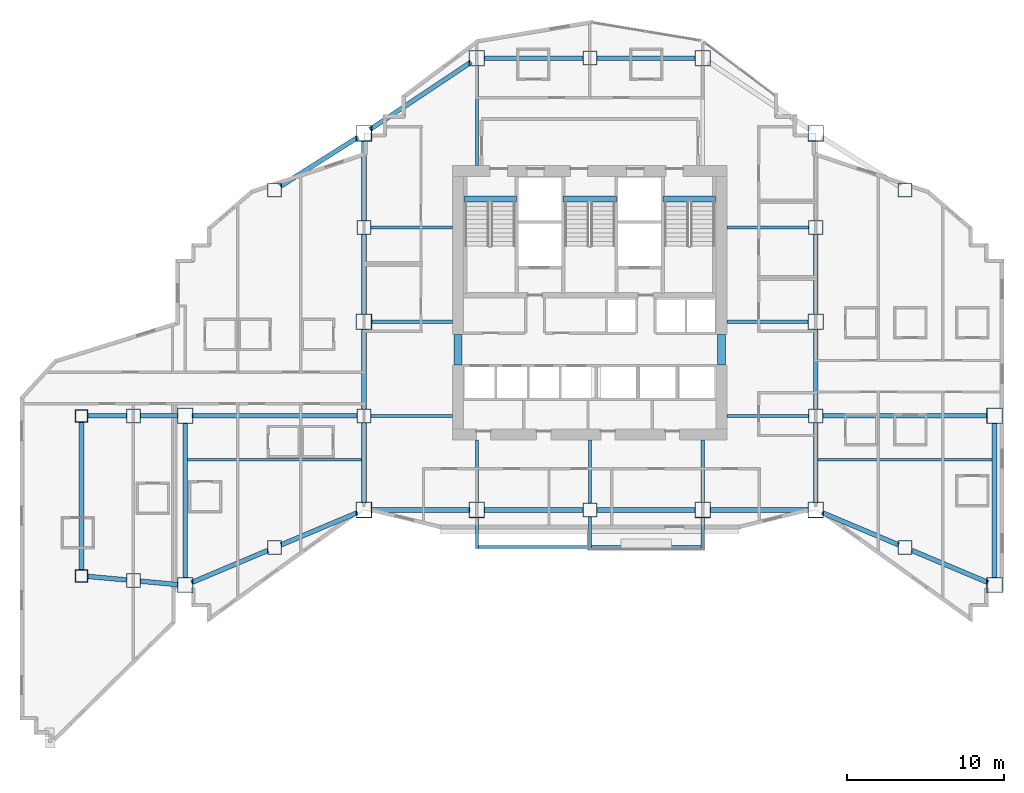
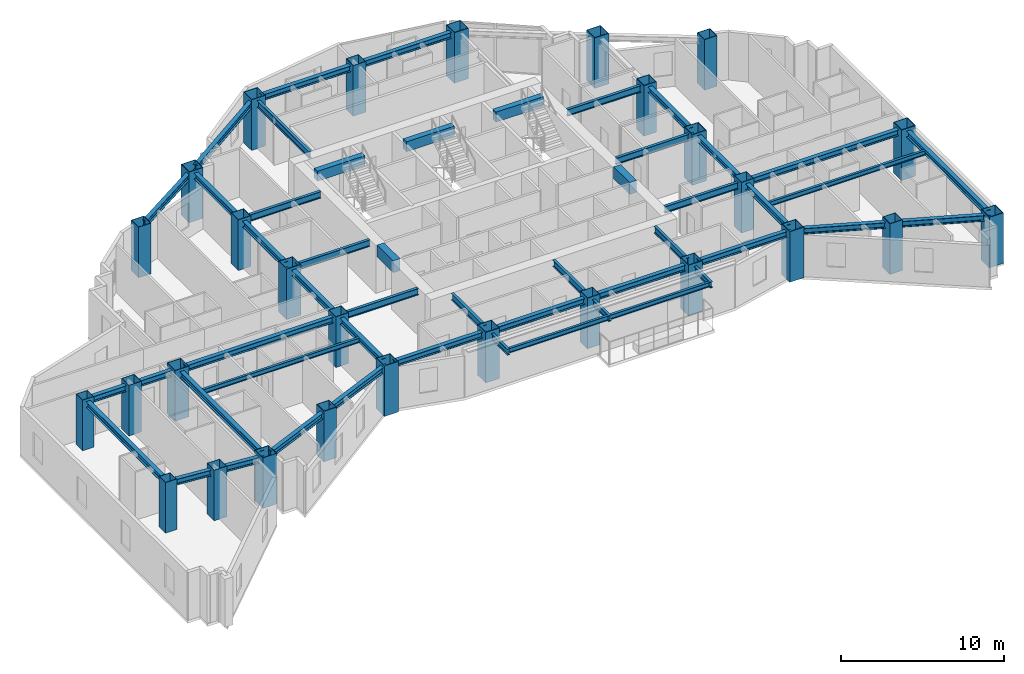
# One storey, part 1 of 13: 50 beams, 28 columns.
"""IFC4 building model written with IfcOpenShell, lengths in metres."""

from ifc_helpers import new_model, si_unit, direction, frame, origin, origin_2d, place, context, subcontext, project, spatial, rectangle, hollow_rectangle, i_section, extrude, material, material_profile, profile_set, type_object, element, save


model = new_model("IFC4")

# Units and contexts
model_context = context("Model", 3, precision=1e-05, world=origin(), true_north=direction((0.0, 1.0)))
body_context = subcontext(model_context, "Body", "Model", "MODEL_VIEW")
ifc_project = project(units=[si_unit("LENGTHUNIT", "METRE"), si_unit("AREAUNIT", "SQUARE_METRE"), si_unit("VOLUMEUNIT", "CUBIC_METRE"), si_unit("PLANEANGLEUNIT", "RADIAN"), si_unit("MASSUNIT", "GRAM", prefix="KILO")], contexts=[model_context])

# Site, building, storey
site_placement = place(None, origin())
site = spatial("IfcSite", under=ifc_project, at=site_placement, CompositionType="ELEMENT")
building_placement = place(site_placement, origin())
building = spatial("IfcBuilding", under=site, at=building_placement, Name="Haolan Belvedere Tower", CompositionType="ELEMENT")
storey_placement = place(building_placement, frame((0.0, 0.0, 117.39990234375)))
storey = spatial("IfcBuildingStorey", under=building, at=storey_placement, Name="L29", CompositionType="ELEMENT", Elevation=117.39990234375)

# Columns
ifc_material_1 = material(Name="Steel Q420GJC", Category="steel")
ifc_material_profile_1 = material_profile(ifc_material_1, hollow_rectangle(XDim=1.0, YDim=1.0, WallThickness=0.0380859375, at=origin_2d()), Name="Steel Q420GJC")
ifc_profile_set_1 = profile_set([ifc_material_profile_1], Name="Steel Q420GJC")
column_type_1 = type_object("IfcColumnType", Name="COL-BOX1000x1000x38", PredefinedType="COLUMN", material=ifc_profile_set_1)
for number, where, z_axis, x_axis, name in (
    (1, (24.0, 21.60009765625, 0.0), (0.0, 0.0, 1.0), (1.0, 0.0, 0.0), "L29 column MC-T3-SW (BOX1000x1000x38)"),
    (2, (24.0, 33.60009765625, 0.0), (0.0, 0.0, 1.0), (1.0, 0.0, 0.0), "L29 column MC-T3-MW (BOX1000x1000x38)"),
    (3, (24.0, 45.60009765625, 0.0), (0.0, 0.0, 1.0), (1.0, 0.0, 0.0), "L29 column MC-T3-NW (BOX1000x1000x38)"),
    (4, (52.800048828125, 21.60009765625, 0.0), (0.0, 0.0, 1.0), (1.0, 0.0, 0.0), "L29 column MC-T3-SE (BOX1000x1000x38)"),
    (5, (52.800048828125, 33.60009765625, 0.0), (0.0, 0.0, 1.0), (1.0, 0.0, 0.0), "L29 column MC-T3-ME (BOX1000x1000x38)"),
    (6, (52.800048828125, 45.60009765625, 0.0), (0.0, 0.0, 1.0), (1.0, 0.0, 0.0), "L29 column MC-T3-NE (BOX1000x1000x38)"),
    (7, (31.199951171875, 21.60009765625, 0.0), (0.0, 0.0, 1.0), (1.0, 0.0, 0.0), "L29 column MC-T3-S1 (BOX1000x1000x38)"),
    (8, (45.60009765625, 21.60009765625, 0.0), (0.0, 0.0, 1.0), (1.0, 0.0, 0.0), "L29 column MC-T3-S2 (BOX1000x1000x38)"),
    (9, (31.199951171875, 50.39990234375, 0.0), (0.0, 0.0, 1.0), (1.0, 0.0, 0.0), "L29 column MC-T3-N1 (BOX1000x1000x38)"),
    (10, (45.60009765625, 50.39990234375, 0.0), (0.0, 0.0, 1.0), (1.0, 0.0, 0.0), "L29 column MC-T3-N2 (BOX1000x1000x38)"),
    (11, (12.60009765625, 16.800048828125, 0.0), (0.0, 0.0, 1.0), (1.0, 0.0, 0.0), "L29 column MC-T2-SW (BOX1000x1000x38)"),
    (12, (12.60009765625, 27.60009765625, 0.0), (0.0, 0.0, 1.0), (1.0, 0.0, 0.0), "L29 column MC-T2-MW (BOX1000x1000x38)"),
    (13, (64.199951171875, 16.800048828125, 0.0), (0.0, 0.0, 1.0), (1.0, 0.0, 0.0), "L29 column MC-T4-SE (BOX1000x1000x38)"),
    (14, (64.199951171875, 27.60009765625, 0.0), (0.0, 0.0, 1.0), (1.0, 0.0, 0.0), "L29 column MC-T4-ME (BOX1000x1000x38)"),
):
    element("IfcColumn", number, at=place(storey_placement, frame(where, z_axis=z_axis, x_axis=x_axis)), inside=storey, type_object=column_type_1, Name=name, PredefinedType="COLUMN", context=body_context, shape_type="SweptSolid", body=[
        extrude(hollow_rectangle(XDim=1.0, YDim=1.0, WallThickness=0.0380859375, at=origin_2d()), origin(), (0.0, 0.0, 1.0), 3.800048828125),
    ])
ifc_material_2 = material(Name="Steel Q390GJC", Category="steel")
ifc_material_profile_2 = material_profile(ifc_material_2, hollow_rectangle(XDim=0.800048828125, YDim=0.800048828125, WallThickness=0.030029296875, at=origin_2d()), Name="Steel Q390GJC")
ifc_profile_set_2 = profile_set([ifc_material_profile_2], Name="Steel Q390GJC")
column_type_2 = type_object("IfcColumnType", Name="COL-BOX800x800x30", PredefinedType="COLUMN", material=ifc_profile_set_2)
for number, where, z_axis, x_axis, name in (
    (15, (6.0, 17.39990234375, 0.0), (0.0, 0.0, 1.0), (1.0, 0.0, 0.0), "L29 column MC-T1-SW (BOX800x800x30)"),
    (16, (6.0, 27.60009765625, 0.0), (0.0, 0.0, 1.0), (1.0, 0.0, 0.0), "L29 column MC-T1-NW (BOX800x800x30)"),
):
    element("IfcColumn", number, at=place(storey_placement, frame(where, z_axis=z_axis, x_axis=x_axis)), inside=storey, type_object=column_type_2, Name=name, PredefinedType="COLUMN", context=body_context, shape_type="SweptSolid", body=[
        extrude(hollow_rectangle(XDim=0.800048828125, YDim=0.800048828125, WallThickness=0.030029296875, at=origin_2d()), origin(), (0.0, 0.0, 1.0), 3.800048828125),
    ])
ifc_material_profile_3 = material_profile(ifc_material_2, hollow_rectangle(XDim=0.89990234375, YDim=0.89990234375, WallThickness=0.033935546875, at=origin_2d()), Name="Steel Q390GJC")
ifc_profile_set_3 = profile_set([ifc_material_profile_3], Name="Steel Q390GJC")
column_type_3 = type_object("IfcColumnType", Name="COL-BOX900x900x34", PredefinedType="COLUMN", material=ifc_profile_set_3)
for number, where, z_axis, x_axis, name in (
    (17, (24.0, 27.60009765625, 0.0), (0.0, 0.0, 1.0), (1.0, 0.0, 0.0), "L29 column TC-T3-W1 (BOX900x900x34)"),
    (18, (24.0, 39.60009765625, 0.0), (0.0, 0.0, 1.0), (1.0, 0.0, 0.0), "L29 column TC-T3-W2 (BOX900x900x34)"),
    (19, (52.800048828125, 27.60009765625, 0.0), (0.0, 0.0, 1.0), (1.0, 0.0, 0.0), "L29 column TC-T3-E1 (BOX900x900x34)"),
    (20, (52.800048828125, 39.60009765625, 0.0), (0.0, 0.0, 1.0), (1.0, 0.0, 0.0), "L29 column TC-T3-E2 (BOX900x900x34)"),
    (21, (38.39990234375, 21.60009765625, 0.0), (0.0, 0.0, 1.0), (1.0, 0.0, 0.0), "L29 column TC-T3-SM (BOX900x900x34)"),
    (22, (38.39990234375, 50.39990234375, 0.0), (0.0, 0.0, 1.0), (1.0, 0.0, 0.0), "L29 column TC-T3-NM (BOX900x900x34)"),
    (23, (18.300048828125, 19.199951171875, 0.0), (0.0, 0.0, 1.0), (1.0, 0.0, 0.0), "L29 column TC-T2-S1 (BOX900x900x34)"),
    (24, (18.300048828125, 42.0, 0.0), (0.0, 0.0, 1.0), (1.0, 0.0, 0.0), "L29 column TC-T2-N1 (BOX900x900x34)"),
    (25, (58.5, 19.199951171875, 0.0), (0.0, 0.0, 1.0), (1.0, 0.0, 0.0), "L29 column TC-T4-S1 (BOX900x900x34)"),
    (26, (58.5, 42.0, 0.0), (0.0, 0.0, 1.0), (1.0, 0.0, 0.0), "L29 column TC-T4-N1 (BOX900x900x34)"),
    (27, (9.300048828125, 17.10009765625, 0.0), (0.0, 0.0, 1.0), (1.0, 0.0, 0.0), "L29 column TC-T1-M1 (BOX900x900x34)"),
    (28, (9.300048828125, 27.60009765625, 0.0), (0.0, 0.0, 1.0), (1.0, 0.0, 0.0), "L29 column TC-T1-M2 (BOX900x900x34)"),
):
    element("IfcColumn", number, at=place(storey_placement, frame(where, z_axis=z_axis, x_axis=x_axis)), inside=storey, type_object=column_type_3, Name=name, PredefinedType="COLUMN", context=body_context, shape_type="SweptSolid", body=[
        extrude(hollow_rectangle(XDim=0.89990234375, YDim=0.89990234375, WallThickness=0.033935546875, at=origin_2d()), origin(), (0.0, 0.0, 1.0), 3.800048828125),
    ])

# Beams
ifc_material_3 = material(Name="Steel Q355B", Category="steel")
ifc_material_profile_4 = material_profile(ifc_material_3, i_section(OverallWidth=0.300048828125, OverallDepth=0.43994140625, WebThickness=0.010986328125, FlangeThickness=0.01806640625, FilletRadius=0.02392578125, at=origin_2d()), Name="Steel Q355B")
ifc_profile_set_4 = profile_set([ifc_material_profile_4], Name="Steel Q355B")
beam_type_1 = type_object("IfcBeamType", Name="BM-HM440x300x11x18", PredefinedType="SPANDREL", material=ifc_profile_set_4)
for number, where, z_axis, x_axis, name in (
    (29, (24.0, 22.050048828125, 3.380126953125), (0.0, 1.0, 0.0), (-1.0, 0.0, 0.0), "L29 spandrel girder MC-T3-SW-TC-T3-W1"),
    (30, (24.0, 28.050048828125, 3.380126953125), (0.0, 1.0, 0.0), (-1.0, 0.0, 0.0), "L29 spandrel girder TC-T3-W1-MC-T3-MW"),
    (31, (24.0, 34.050048828125, 3.380126953125), (0.0, 1.0, 0.0), (-1.0, 0.0, 0.0), "L29 spandrel girder MC-T3-MW-TC-T3-W2"),
    (32, (24.0, 40.050048828125, 3.380126953125), (0.0, 1.0, 0.0), (-1.0, 0.0, 0.0), "L29 spandrel girder TC-T3-W2-MC-T3-NW"),
    (33, (52.800048828125, 22.050048828125, 3.380126953125), (0.0, 1.0, 0.0), (-1.0, 0.0, 0.0), "L29 spandrel girder MC-T3-SE-TC-T3-E1"),
    (34, (52.800048828125, 28.050048828125, 3.380126953125), (0.0, 1.0, 0.0), (-1.0, 0.0, 0.0), "L29 spandrel girder TC-T3-E1-MC-T3-ME"),
    (35, (52.800048828125, 34.050048828125, 3.380126953125), (0.0, 1.0, 0.0), (-1.0, 0.0, 0.0), "L29 spandrel girder MC-T3-ME-TC-T3-E2"),
):
    element("IfcBeam", number, at=place(storey_placement, frame(where, z_axis=z_axis, x_axis=x_axis)), inside=storey, type_object=beam_type_1, Name=name, PredefinedType="SPANDREL", context=body_context, shape_type="SweptSolid", body=[
        extrude(i_section(OverallWidth=0.300048828125, OverallDepth=0.43994140625, WebThickness=0.010986328125, FlangeThickness=0.01806640625, FilletRadius=0.02392578125, at=origin_2d()), origin(), (0.0, 0.0, 1.0), 5.099853515625),
    ])
for number, where, z_axis, x_axis, name in (
    (36, (24.449951171875, 21.60009765625, 3.380126953125), (1.0, 0.0, 0.0), (0.0, 1.0, 0.0), "L29 spandrel girder MC-T3-SW-MC-T3-S1"),
    (37, (31.64990234375, 21.60009765625, 3.380126953125), (1.0, 0.0, 0.0), (0.0, 1.0, 0.0), "L29 spandrel girder MC-T3-S1-TC-T3-SM"),
):
    element("IfcBeam", number, at=place(storey_placement, frame(where, z_axis=z_axis, x_axis=x_axis)), inside=storey, type_object=beam_type_1, Name=name, PredefinedType="SPANDREL", context=body_context, shape_type="SweptSolid", body=[
        extrude(i_section(OverallWidth=0.300048828125, OverallDepth=0.43994140625, WebThickness=0.010986328125, FlangeThickness=0.01806640625, FilletRadius=0.02392578125, at=origin_2d()), origin(), (0.0, 0.0, 1.0), 6.300048828125),
    ])
beam_1_placement = place(storey_placement, frame((38.85009765625, 21.60009765625, 3.380126953125), z_axis=(1.0, 0.0, 0.0), x_axis=(0.0, 1.0, 0.0)))
element("IfcBeam", 38, at=beam_1_placement, inside=storey, type_object=beam_type_1, Name="L29 spandrel girder TC-T3-SM-MC-T3-S2", PredefinedType="SPANDREL", context=body_context, shape_type="SweptSolid", body=[
    extrude(i_section(OverallWidth=0.300048828125, OverallDepth=0.43994140625, WebThickness=0.010986328125, FlangeThickness=0.01806640625, FilletRadius=0.02392578125, at=origin_2d()), origin(), (0.0, 0.0, 1.0), 6.2998046875),
])
beam_2_placement = place(storey_placement, frame((46.050048828125, 21.60009765625, 3.380126953125), z_axis=(1.0, 0.0, 0.0), x_axis=(0.0, 1.0, 0.0)))
element("IfcBeam", 39, at=beam_2_placement, inside=storey, type_object=beam_type_1, Name="L29 spandrel girder MC-T3-S2-MC-T3-SE", PredefinedType="SPANDREL", context=body_context, shape_type="SweptSolid", body=[
    extrude(i_section(OverallWidth=0.300048828125, OverallDepth=0.43994140625, WebThickness=0.010986328125, FlangeThickness=0.01806640625, FilletRadius=0.02392578125, at=origin_2d()), origin(), (0.0, 0.0, 1.0), 6.300048828125),
])
beam_3_placement = place(storey_placement, frame((24.37451171875, 45.849609375, 3.380126953125), z_axis=(0.832050294338, 0.554700196225, 0.0), x_axis=(-0.554700196225, 0.832050294338, 0.0)))
element("IfcBeam", 40, at=beam_3_placement, inside=storey, type_object=beam_type_1, Name="L29 spandrel girder MC-T3-NW-MC-T3-N1", PredefinedType="SPANDREL", context=body_context, shape_type="SweptSolid", body=[
    extrude(i_section(OverallWidth=0.300048828125, OverallDepth=0.43994140625, WebThickness=0.010986328125, FlangeThickness=0.01806640625, FilletRadius=0.02392578125, at=origin_2d()), origin(), (0.0, 0.0, 1.0), 7.75341796875),
])
beam_4_placement = place(storey_placement, frame((31.64990234375, 50.39990234375, 3.380126953125), z_axis=(1.0, 0.0, 0.0), x_axis=(0.0, 1.0, 0.0)))
element("IfcBeam", 41, at=beam_4_placement, inside=storey, type_object=beam_type_1, Name="L29 spandrel girder MC-T3-N1-TC-T3-NM", PredefinedType="SPANDREL", context=body_context, shape_type="SweptSolid", body=[
    extrude(i_section(OverallWidth=0.300048828125, OverallDepth=0.43994140625, WebThickness=0.010986328125, FlangeThickness=0.01806640625, FilletRadius=0.02392578125, at=origin_2d()), origin(), (0.0, 0.0, 1.0), 6.300048828125),
])
beam_5_placement = place(storey_placement, frame((38.85009765625, 50.39990234375, 3.380126953125), z_axis=(1.0, 0.0, 0.0), x_axis=(0.0, 1.0, 0.0)))
element("IfcBeam", 42, at=beam_5_placement, inside=storey, type_object=beam_type_1, Name="L29 spandrel girder TC-T3-NM-MC-T3-N2", PredefinedType="SPANDREL", context=body_context, shape_type="SweptSolid", body=[
    extrude(i_section(OverallWidth=0.300048828125, OverallDepth=0.43994140625, WebThickness=0.010986328125, FlangeThickness=0.01806640625, FilletRadius=0.02392578125, at=origin_2d()), origin(), (0.0, 0.0, 1.0), 6.2998046875),
])
beam_6_placement = place(storey_placement, frame((12.60009765625, 17.25, 3.380126953125), z_axis=(0.0, 1.0, 0.0), x_axis=(-1.0, 0.0, 0.0)))
element("IfcBeam", 43, at=beam_6_placement, inside=storey, type_object=beam_type_1, Name="L29 spandrel girder MC-T2-SW-MC-T2-MW", PredefinedType="SPANDREL", context=body_context, shape_type="SweptSolid", body=[
    extrude(i_section(OverallWidth=0.300048828125, OverallDepth=0.43994140625, WebThickness=0.010986328125, FlangeThickness=0.01806640625, FilletRadius=0.02392578125, at=origin_2d()), origin(), (0.0, 0.0, 1.0), 9.89990234375),
])
beam_7_placement = place(storey_placement, frame((13.0146484375, 16.974609375, 3.380126953125), z_axis=(0.921635375138, 0.388057000058, 0.0), x_axis=(-0.388057000058, 0.921635375138, 0.0)))
element("IfcBeam", 44, at=beam_7_placement, inside=storey, type_object=beam_type_1, Name="L29 spandrel girder MC-T2-SW-TC-T2-S1", PredefinedType="SPANDREL", context=body_context, shape_type="SweptSolid", body=[
    extrude(i_section(OverallWidth=0.300048828125, OverallDepth=0.43994140625, WebThickness=0.010986328125, FlangeThickness=0.01806640625, FilletRadius=0.02392578125, at=origin_2d()), origin(), (0.0, 0.0, 1.0), 5.28466796875),
])
beam_8_placement = place(storey_placement, frame((18.71484375, 19.37451171875, 3.380126953125), z_axis=(0.92162841793, 0.388073523014, 0.0), x_axis=(-0.388073523014, 0.92162841793, 0.0)))
element("IfcBeam", 45, at=beam_8_placement, inside=storey, type_object=beam_type_1, Name="L29 spandrel girder TC-T2-S1-MC-T3-SW", PredefinedType="SPANDREL", context=body_context, shape_type="SweptSolid", body=[
    extrude(i_section(OverallWidth=0.300048828125, OverallDepth=0.43994140625, WebThickness=0.010986328125, FlangeThickness=0.01806640625, FilletRadius=0.02392578125, at=origin_2d()), origin(), (0.0, 0.0, 1.0), 5.284423828125),
])
beam_9_placement = place(storey_placement, frame((18.680419921875, 42.240234375, 3.380126953125), z_axis=(0.845497840649, 0.533978839898, 0.0), x_axis=(-0.533978839898, 0.845497840649, 0.0)))
element("IfcBeam", 46, at=beam_9_placement, inside=storey, type_object=beam_type_1, Name="L29 spandrel girder TC-T2-N1-MC-T3-NW", PredefinedType="SPANDREL", context=body_context, shape_type="SweptSolid", body=[
    extrude(i_section(OverallWidth=0.300048828125, OverallDepth=0.43994140625, WebThickness=0.010986328125, FlangeThickness=0.01806640625, FilletRadius=0.02392578125, at=origin_2d()), origin(), (0.0, 0.0, 1.0), 5.841796875),
])
beam_10_placement = place(storey_placement, frame((13.050048828125, 27.60009765625, 3.380126953125), z_axis=(1.0, 0.0, 0.0), x_axis=(0.0, 1.0, 0.0)))
element("IfcBeam", 47, at=beam_10_placement, inside=storey, type_object=beam_type_1, Name="L29 spandrel girder MC-T2-MW-TC-T3-W1", PredefinedType="SPANDREL", context=body_context, shape_type="SweptSolid", body=[
    extrude(i_section(OverallWidth=0.300048828125, OverallDepth=0.43994140625, WebThickness=0.010986328125, FlangeThickness=0.01806640625, FilletRadius=0.02392578125, at=origin_2d()), origin(), (0.0, 0.0, 1.0), 10.5),
])
beam_11_placement = place(storey_placement, frame((64.199951171875, 17.25, 3.380126953125), z_axis=(0.0, 1.0, 0.0), x_axis=(-1.0, 0.0, 0.0)))
element("IfcBeam", 48, at=beam_11_placement, inside=storey, type_object=beam_type_1, Name="L29 spandrel girder MC-T4-SE-MC-T4-ME", PredefinedType="SPANDREL", context=body_context, shape_type="SweptSolid", body=[
    extrude(i_section(OverallWidth=0.300048828125, OverallDepth=0.43994140625, WebThickness=0.010986328125, FlangeThickness=0.01806640625, FilletRadius=0.02392578125, at=origin_2d()), origin(), (0.0, 0.0, 1.0), 9.89990234375),
])
for number, where, z_axis, x_axis, name in (
    (49, (53.21484375, 21.42529296875, 3.380126953125), (0.92162841793, -0.388073523014, 0.0), (0.388073523014, 0.92162841793, 0.0), "L29 spandrel girder MC-T3-SE-TC-T4-S1"),
    (50, (58.914794921875, 19.025390625, 3.380126953125), (0.92162841793, -0.388073523014, 0.0), (0.388073523014, 0.92162841793, 0.0), "L29 spandrel girder TC-T4-S1-MC-T4-SE"),
):
    element("IfcBeam", number, at=place(storey_placement, frame(where, z_axis=z_axis, x_axis=x_axis)), inside=storey, type_object=beam_type_1, Name=name, PredefinedType="SPANDREL", context=body_context, shape_type="SweptSolid", body=[
        extrude(i_section(OverallWidth=0.300048828125, OverallDepth=0.43994140625, WebThickness=0.010986328125, FlangeThickness=0.01806640625, FilletRadius=0.02392578125, at=origin_2d()), origin(), (0.0, 0.0, 1.0), 5.284423828125),
    ])
beam_12_placement = place(storey_placement, frame((53.25, 27.60009765625, 3.380126953125), z_axis=(1.0, 0.0, 0.0), x_axis=(0.0, 1.0, 0.0)))
element("IfcBeam", 51, at=beam_12_placement, inside=storey, type_object=beam_type_1, Name="L29 spandrel girder TC-T3-E1-MC-T4-ME", PredefinedType="SPANDREL", context=body_context, shape_type="SweptSolid", body=[
    extrude(i_section(OverallWidth=0.300048828125, OverallDepth=0.43994140625, WebThickness=0.010986328125, FlangeThickness=0.01806640625, FilletRadius=0.02392578125, at=origin_2d()), origin(), (0.0, 0.0, 1.0), 10.5),
])
beam_13_placement = place(storey_placement, frame((6.0, 17.800048828125, 3.380126953125), z_axis=(0.0, 1.0, 0.0), x_axis=(-1.0, 0.0, 0.0)))
element("IfcBeam", 52, at=beam_13_placement, inside=storey, type_object=beam_type_1, Name="L29 spandrel girder MC-T1-SW-MC-T1-NW", PredefinedType="SPANDREL", context=body_context, shape_type="SweptSolid", body=[
    extrude(i_section(OverallWidth=0.300048828125, OverallDepth=0.43994140625, WebThickness=0.010986328125, FlangeThickness=0.01806640625, FilletRadius=0.02392578125, at=origin_2d()), origin(), (0.0, 0.0, 1.0), 9.39990234375),
])
beam_14_placement = place(storey_placement, frame((6.3984375, 17.36376953125, 3.380126953125), z_axis=(0.995889143855, -0.090580423672, 0.0), x_axis=(0.090580423672, 0.995889143855, 0.0)))
element("IfcBeam", 53, at=beam_14_placement, inside=storey, type_object=beam_type_1, Name="L29 spandrel girder MC-T1-SW-TC-T1-M1", PredefinedType="SPANDREL", context=body_context, shape_type="SweptSolid", body=[
    extrude(i_section(OverallWidth=0.300048828125, OverallDepth=0.43994140625, WebThickness=0.010986328125, FlangeThickness=0.01806640625, FilletRadius=0.02392578125, at=origin_2d()), origin(), (0.0, 0.0, 1.0), 2.46337890625),
])
beam_15_placement = place(storey_placement, frame((9.748046875, 17.059326171875, 3.380126953125), z_axis=(0.9958940355, -0.090526626221, 0.0), x_axis=(0.090526626221, 0.9958940355, 0.0)))
element("IfcBeam", 54, at=beam_15_placement, inside=storey, type_object=beam_type_1, Name="L29 spandrel girder TC-T1-M1-MC-T2-SW", PredefinedType="SPANDREL", context=body_context, shape_type="SweptSolid", body=[
    extrude(i_section(OverallWidth=0.300048828125, OverallDepth=0.43994140625, WebThickness=0.010986328125, FlangeThickness=0.01806640625, FilletRadius=0.02392578125, at=origin_2d()), origin(), (0.0, 0.0, 1.0), 2.413818359375),
])
beam_16_placement = place(storey_placement, frame((6.39990234375, 27.60009765625, 3.380126953125), z_axis=(1.0, 0.0, 0.0), x_axis=(0.0, 1.0, 0.0)))
element("IfcBeam", 55, at=beam_16_placement, inside=storey, type_object=beam_type_1, Name="L29 spandrel girder MC-T1-NW-TC-T1-M2", PredefinedType="SPANDREL", context=body_context, shape_type="SweptSolid", body=[
    extrude(i_section(OverallWidth=0.300048828125, OverallDepth=0.43994140625, WebThickness=0.010986328125, FlangeThickness=0.01806640625, FilletRadius=0.02392578125, at=origin_2d()), origin(), (0.0, 0.0, 1.0), 2.4501953125),
])
beam_17_placement = place(storey_placement, frame((9.75, 27.60009765625, 3.380126953125), z_axis=(1.0, 0.0, 0.0), x_axis=(0.0, 1.0, 0.0)))
element("IfcBeam", 56, at=beam_17_placement, inside=storey, type_object=beam_type_1, Name="L29 spandrel girder TC-T1-M2-MC-T2-MW", PredefinedType="SPANDREL", context=body_context, shape_type="SweptSolid", body=[
    extrude(i_section(OverallWidth=0.300048828125, OverallDepth=0.43994140625, WebThickness=0.010986328125, FlangeThickness=0.01806640625, FilletRadius=0.02392578125, at=origin_2d()), origin(), (0.0, 0.0, 1.0), 2.39990234375),
])
ifc_material_profile_5 = material_profile(ifc_material_3, i_section(OverallWidth=0.175048828125, OverallDepth=0.35009765625, WebThickness=0.007080078125, FlangeThickness=0.010986328125, FilletRadius=0.012939453125, at=origin_2d()), Name="Steel Q355B")
ifc_profile_set_5 = profile_set([ifc_material_profile_5], Name="Steel Q355B")
beam_type_2 = type_object("IfcBeamType", Name="BM-HN350x175x7x11", PredefinedType="JOIST", material=ifc_profile_set_5)
for number, where, z_axis, x_axis, name in (
    (57, (12.75, 24.800048828125, 3.425048828125), (1.0, 0.0, 0.0), (0.0, 1.0, 0.0), "L29 west wing floor joist 1"),
    (58, (52.949951171875, 24.800048828125, 3.425048828125), (1.0, 0.0, 0.0), (0.0, 1.0, 0.0), "L29 east wing floor joist 1"),
):
    element("IfcBeam", number, at=place(storey_placement, frame(where, z_axis=z_axis, x_axis=x_axis)), inside=storey, type_object=beam_type_2, Name=name, PredefinedType="JOIST", context=body_context, shape_type="SweptSolid", body=[
        extrude(i_section(OverallWidth=0.175048828125, OverallDepth=0.35009765625, WebThickness=0.007080078125, FlangeThickness=0.010986328125, FilletRadius=0.012939453125, at=origin_2d()), origin(), (0.0, 0.0, 1.0), 11.10009765625),
    ])
for number, where, z_axis, x_axis, name in (
    (59, (31.300048828125, 19.239990234375, 3.39501953125), (1.0, 0.0, 0.0), (0.0, 1.0, 0.0), "L30 tree-balcony front trimmer beam 1"),
    (60, (38.5, 19.239990234375, 3.39501953125), (1.0, 0.0, 0.0), (0.0, 1.0, 0.0), "L30 tree-balcony front trimmer beam 2"),
):
    element("IfcBeam", number, at=place(storey_placement, frame(where, z_axis=z_axis, x_axis=x_axis)), inside=storey, type_object=beam_type_2, Name=name, PredefinedType="BEAM", context=body_context, shape_type="SweptSolid", body=[
        extrude(i_section(OverallWidth=0.175048828125, OverallDepth=0.35009765625, WebThickness=0.007080078125, FlangeThickness=0.010986328125, FilletRadius=0.012939453125, at=origin_2d()), origin(), (0.0, 0.0, 1.0), 7.0),
    ])
ifc_material_profile_6 = material_profile(ifc_material_3, i_section(OverallWidth=0.199951171875, OverallDepth=0.449951171875, WebThickness=0.009033203125, FlangeThickness=0.013916015625, FilletRadius=0.01611328125, at=origin_2d()), Name="Steel Q355B")
ifc_profile_set_6 = profile_set([ifc_material_profile_6], Name="Steel Q355B")
beam_type_3 = type_object("IfcBeamType", Name="BM-HN450x200x9x14", PredefinedType="BEAM", material=ifc_profile_set_6)
beam_18_placement = place(storey_placement, frame((31.199951171875, 21.10009765625, 3.34521484375), z_axis=(0.0, -1.0, 0.0), x_axis=(1.0, 0.0, 0.0)))
element("IfcBeam", 61, at=beam_18_placement, inside=storey, type_object=beam_type_3, Name="L30 tree-balcony column cantilever MC-T3-S1", PredefinedType="BEAM", context=body_context, shape_type="SweptSolid", body=[
    extrude(i_section(OverallWidth=0.199951171875, OverallDepth=0.449951171875, WebThickness=0.009033203125, FlangeThickness=0.013916015625, FilletRadius=0.01611328125, at=origin_2d()), origin(), (0.0, 0.0, 1.0), 1.960205078125),
])
beam_19_placement = place(storey_placement, frame((38.39990234375, 21.14990234375, 3.34521484375), z_axis=(0.0, -1.0, 0.0), x_axis=(1.0, 0.0, 0.0)))
element("IfcBeam", 62, at=beam_19_placement, inside=storey, type_object=beam_type_3, Name="L30 tree-balcony column cantilever TC-T3-SM", PredefinedType="BEAM", context=body_context, shape_type="SweptSolid", body=[
    extrude(i_section(OverallWidth=0.199951171875, OverallDepth=0.449951171875, WebThickness=0.009033203125, FlangeThickness=0.013916015625, FilletRadius=0.01611328125, at=origin_2d()), origin(), (0.0, 0.0, 1.0), 2.010009765625),
])
beam_20_placement = place(storey_placement, frame((45.60009765625, 21.10009765625, 3.34521484375), z_axis=(0.0, -1.0, 0.0), x_axis=(1.0, 0.0, 0.0)))
element("IfcBeam", 63, at=beam_20_placement, inside=storey, type_object=beam_type_3, Name="L30 tree-balcony column cantilever MC-T3-S2", PredefinedType="BEAM", context=body_context, shape_type="SweptSolid", body=[
    extrude(i_section(OverallWidth=0.199951171875, OverallDepth=0.449951171875, WebThickness=0.009033203125, FlangeThickness=0.013916015625, FilletRadius=0.01611328125, at=origin_2d()), origin(), (0.0, 0.0, 1.0), 1.960205078125),
])
ifc_material_profile_7 = material_profile(ifc_material_3, i_section(OverallWidth=0.199951171875, OverallDepth=0.5, WebThickness=0.010009765625, FlangeThickness=0.01611328125, FilletRadius=0.02001953125, at=origin_2d()), Name="Steel Q355B")
ifc_profile_set_7 = profile_set([ifc_material_profile_7], Name="Steel Q355B")
beam_type_4 = type_object("IfcBeamType", Name="BM-HN500x200x10x16", PredefinedType="BEAM", material=ifc_profile_set_7)
for number, where, z_axis, x_axis, name in (
    (64, (24.449951171875, 33.60009765625, 3.35009765625), (1.0, 0.0, 0.0), (0.0, 1.0, 0.0), "L29 core tie beam from MC-T3-MW"),
    (65, (24.449951171875, 27.60009765625, 3.35009765625), (1.0, 0.0, 0.0), (0.0, 1.0, 0.0), "L29 core tie beam from TC-T3-W1"),
    (66, (24.449951171875, 39.60009765625, 3.35009765625), (1.0, 0.0, 0.0), (0.0, 1.0, 0.0), "L29 core tie beam from TC-T3-W2"),
):
    element("IfcBeam", number, at=place(storey_placement, frame(where, z_axis=z_axis, x_axis=x_axis)), inside=storey, type_object=beam_type_4, Name=name, PredefinedType="BEAM", context=body_context, shape_type="SweptSolid", body=[
        extrude(i_section(OverallWidth=0.199951171875, OverallDepth=0.5, WebThickness=0.010009765625, FlangeThickness=0.01611328125, FilletRadius=0.02001953125, at=origin_2d()), origin(), (0.0, 0.0, 1.0), 5.199951171875),
    ])
for number, where, z_axis, x_axis, name in (
    (67, (52.35009765625, 33.60009765625, 3.35009765625), (-1.0, 0.0, 0.0), (0.0, -1.0, 0.0), "L29 core tie beam from MC-T3-ME"),
    (68, (52.35009765625, 27.60009765625, 3.35009765625), (-1.0, 0.0, 0.0), (0.0, -1.0, 0.0), "L29 core tie beam from TC-T3-E1"),
    (69, (52.35009765625, 39.60009765625, 3.35009765625), (-1.0, 0.0, 0.0), (0.0, -1.0, 0.0), "L29 core tie beam from TC-T3-E2"),
):
    element("IfcBeam", number, at=place(storey_placement, frame(where, z_axis=z_axis, x_axis=x_axis)), inside=storey, type_object=beam_type_4, Name=name, PredefinedType="BEAM", context=body_context, shape_type="SweptSolid", body=[
        extrude(i_section(OverallWidth=0.199951171875, OverallDepth=0.5, WebThickness=0.010009765625, FlangeThickness=0.01611328125, FilletRadius=0.02001953125, at=origin_2d()), origin(), (0.0, 0.0, 1.0), 5.2001953125),
    ])
for number, where, z_axis, x_axis, name in (
    (70, (31.199951171875, 22.050048828125, 3.35009765625), (0.0, 1.0, 0.0), (-1.0, 0.0, 0.0), "L29 core tie beam from MC-T3-S1"),
    (71, (38.39990234375, 22.050048828125, 3.35009765625), (0.0, 1.0, 0.0), (-1.0, 0.0, 0.0), "L29 core tie beam from TC-T3-SM"),
    (72, (45.60009765625, 22.050048828125, 3.35009765625), (0.0, 1.0, 0.0), (-1.0, 0.0, 0.0), "L29 core tie beam from MC-T3-S2"),
):
    element("IfcBeam", number, at=place(storey_placement, frame(where, z_axis=z_axis, x_axis=x_axis)), inside=storey, type_object=beam_type_4, Name=name, PredefinedType="BEAM", context=body_context, shape_type="SweptSolid", body=[
        extrude(i_section(OverallWidth=0.199951171875, OverallDepth=0.5, WebThickness=0.010009765625, FlangeThickness=0.01611328125, FilletRadius=0.02001953125, at=origin_2d()), origin(), (0.0, 0.0, 1.0), 4.0),
    ])
beam_21_placement = place(storey_placement, frame((31.199951171875, 49.949951171875, 3.35009765625), z_axis=(0.0, -1.0, 0.0), x_axis=(1.0, 0.0, 0.0)))
element("IfcBeam", 73, at=beam_21_placement, inside=storey, type_object=beam_type_4, Name="L29 core tie beam from MC-T3-N1", PredefinedType="BEAM", context=body_context, shape_type="SweptSolid", body=[
    extrude(i_section(OverallWidth=0.199951171875, OverallDepth=0.5, WebThickness=0.010009765625, FlangeThickness=0.01611328125, FilletRadius=0.02001953125, at=origin_2d()), origin(), (0.0, 0.0, 1.0), 6.39990234375),
])
ifc_material_4 = material(Name="Concrete C50/60", Category="concrete")
ifc_material_profile_8 = material_profile(ifc_material_4, rectangle(XDim=0.39990234375, YDim=0.75, at=origin_2d()), Name="Concrete C50/60")
ifc_profile_set_8 = profile_set([ifc_material_profile_8], Name="Concrete C50/60")
beam_type_5 = type_object("IfcBeamType", Name="BM-RC400x750", PredefinedType="T_BEAM", material=ifc_profile_set_8)
beam_22_placement = place(storey_placement, frame((30.3798828125, 41.429931640625, 3.425048828125), z_axis=(1.0, 0.0, 0.0), x_axis=(0.0, 1.0, 0.0)))
element("IfcBeam", 74, at=beam_22_placement, inside=storey, type_object=beam_type_5, Name="L30 stair ST1 RC header trimmer beam", PredefinedType="BEAM", context=body_context, shape_type="SweptSolid", body=[
    extrude(rectangle(XDim=0.39990234375, YDim=0.75, at=origin_2d()), origin(), (0.0, 0.0, 1.0), 3.360107421875),
])
beam_23_placement = place(storey_placement, frame((36.699951171875, 41.429931640625, 3.425048828125), z_axis=(1.0, 0.0, 0.0), x_axis=(0.0, 1.0, 0.0)))
element("IfcBeam", 75, at=beam_23_placement, inside=storey, type_object=beam_type_5, Name="L30 stair ST3 RC header trimmer beam", PredefinedType="BEAM", context=body_context, shape_type="SweptSolid", body=[
    extrude(rectangle(XDim=0.39990234375, YDim=0.75, at=origin_2d()), origin(), (0.0, 0.0, 1.0), 3.400146484375),
])
beam_24_placement = place(storey_placement, frame((43.06005859375, 41.429931640625, 3.425048828125), z_axis=(1.0, 0.0, 0.0), x_axis=(0.0, 1.0, 0.0)))
element("IfcBeam", 76, at=beam_24_placement, inside=storey, type_object=beam_type_5, Name="L30 stair ST2 RC header trimmer beam", PredefinedType="BEAM", context=body_context, shape_type="SweptSolid", body=[
    extrude(rectangle(XDim=0.39990234375, YDim=0.75, at=origin_2d()), origin(), (0.0, 0.0, 1.0), 3.35986328125),
])
ifc_material_5 = material(Name="Concrete C60/75", Category="concrete")
ifc_material_profile_9 = material_profile(ifc_material_5, rectangle(XDim=0.5, YDim=0.89990234375, at=origin_2d()), Name="Concrete C60/75")
ifc_profile_set_9 = profile_set([ifc_material_profile_9], Name="Concrete C60/75")
beam_type_6 = type_object("IfcBeamType", Name="BM-RC500x900", PredefinedType="LINTEL", material=ifc_profile_set_9)
for number, where, z_axis, x_axis, name in (
    (77, (30.0, 30.85009765625, 3.150146484375), (0.0, 1.0, 0.0), (-1.0, 0.0, 0.0), "L29 west core coupling beam CB-01"),
    (78, (46.800048828125, 30.85009765625, 3.150146484375), (0.0, 1.0, 0.0), (-1.0, 0.0, 0.0), "L29 east core coupling beam CB-01"),
):
    element("IfcBeam", number, at=place(storey_placement, frame(where, z_axis=z_axis, x_axis=x_axis)), inside=storey, type_object=beam_type_6, Name=name, PredefinedType="LINTEL", context=body_context, shape_type="SweptSolid", body=[
        extrude(rectangle(XDim=0.5, YDim=0.89990234375, at=origin_2d()), origin(), (0.0, 0.0, 1.0), 1.949951171875),
    ])

save(model, "model.ifc")
